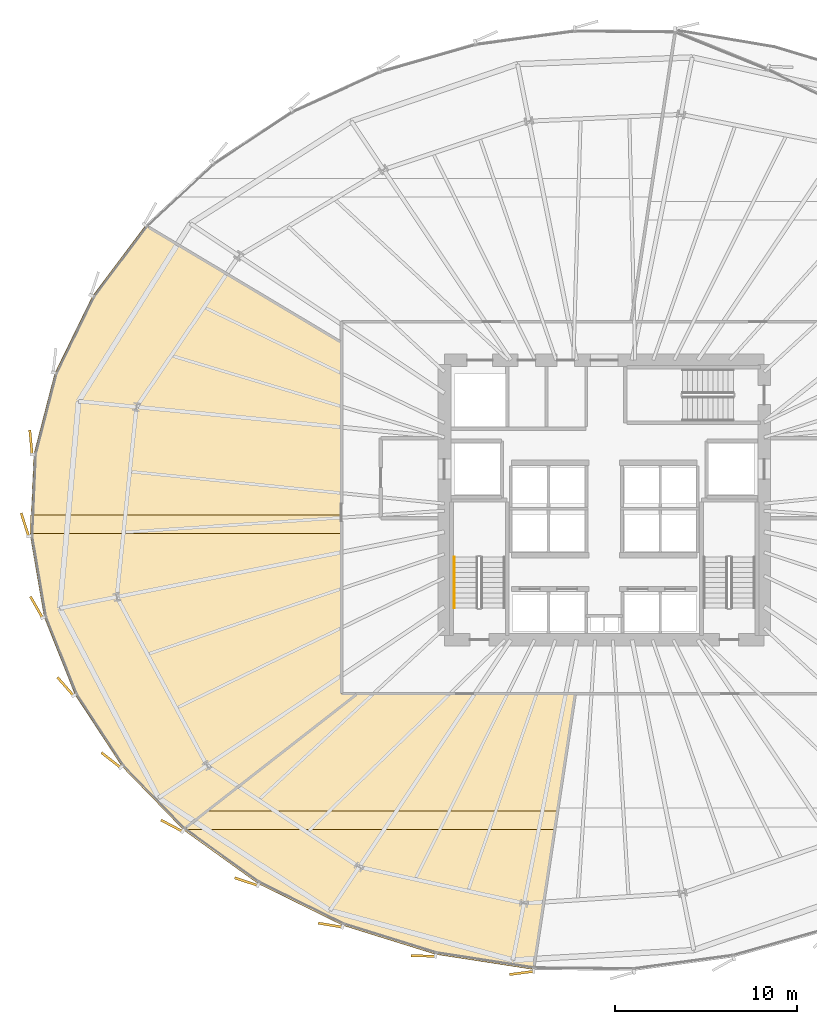
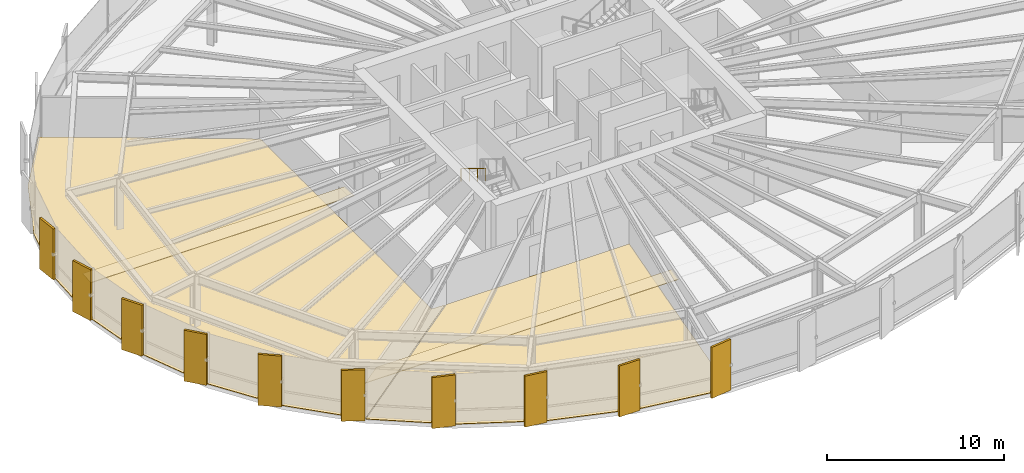
# One storey, part 35 of 39: 14 coverings, 1 railing.
"""IFC4 building model written with IfcOpenShell, lengths in metres."""

from ifc_helpers import new_model, si_unit, direction, frame, origin, origin_2d, place, context, subcontext, project, spatial, polyline, rectangle, circle, outline, extrude, source, transform, mapped, material, layer, layer_set, type_object, element, save


model = new_model("IFC4")

# Units and contexts
model_context = context("Model", 3, precision=1e-05, world=origin(), true_north=direction((0.0, 1.0)))
body_context = subcontext(model_context, "Body", "Model", "MODEL_VIEW")
ifc_project = project(units=[si_unit("LENGTHUNIT", "METRE"), si_unit("AREAUNIT", "SQUARE_METRE"), si_unit("VOLUMEUNIT", "CUBIC_METRE"), si_unit("PLANEANGLEUNIT", "RADIAN"), si_unit("MASSUNIT", "GRAM", prefix="KILO"), si_unit("THERMODYNAMICTEMPERATUREUNIT", "KELVIN")], contexts=[model_context])

# Site, building, storey
site_placement = place(None, origin())
site = spatial("IfcSite", under=ifc_project, at=site_placement, CompositionType="ELEMENT")
building_placement = place(site_placement, origin())
building = spatial("IfcBuilding", under=site, at=building_placement, Name="Kethvar Cultural Tower", CompositionType="ELEMENT")
storey_placement = place(building_placement, frame((0.0, 0.0, 44.800048828125)))
storey = spatial("IfcBuildingStorey", under=building, at=storey_placement, Name="L10", CompositionType="ELEMENT", Elevation=44.800048828125)

# Coverings
ifc_material_1 = material(Name="Acoustic Mineral Fibre Ceiling")
ifc_layer_1 = layer(ifc_material_1, 0.0400390625, Name="Acoustic Mineral Fibre Ceiling")
ifc_layer_set_1 = layer_set([ifc_layer_1], Name="Acoustic Mineral Fibre Ceiling (40 mm)")
covering_type_1 = type_object("IfcCoveringType", Name="CV-ACOUSTIC-CEIL", PredefinedType="CEILING", material=ifc_layer_set_1)
covering_1_placement = place(storey_placement, frame((0.0, 0.0, 2.449951171875)))
element("IfcCovering", 1, at=covering_1_placement, inside=storey, type_object=covering_type_1, Name="L10 Room 01 Acoustic Ceiling Panel", PredefinedType="CEILING", context=body_context, shape_type="SweptSolid", body=[
    extrude(outline(polyline([(24.96923828125, 10.693603515625), (44.251708984375, 10.693603515625), (44.09716796875, 9.66357421875), (23.65673828125, 9.66357421875), (24.96923828125, 10.693603515625)])), origin(), (0.0, 0.0, 1.0), 0.0400390625),
])
covering_2_placement = place(storey_placement, frame((0.0, 0.0, 2.449951171875)))
element("IfcCovering", 2, at=covering_2_placement, inside=storey, type_object=covering_type_1, Name="L10 Room 07 Acoustic Ceiling Panel", PredefinedType="CEILING", context=body_context, shape_type="SweptSolid", body=[
    extrude(outline(polyline([(15.22021484375, 26.98046875), (32.35009765625, 26.98046875), (32.35009765625, 25.950439453125), (15.17529296875, 25.950439453125), (15.22021484375, 26.98046875)])), origin(), (0.0, 0.0, 1.0), 0.0400390625),
])
ifc_material_2 = material(Name="Honed Warm Limestone", Category="masonry")
ifc_layer_2 = layer(ifc_material_2, 0.030029296875, Name="Honed Warm Limestone", Category="masonry")
ifc_layer_set_2 = layer_set([ifc_layer_2], Name="Honed Warm Limestone (30 mm)")
covering_type_2 = type_object("IfcCoveringType", Name="CV-STONE-FLOOR", PredefinedType="FLOORING", material=ifc_layer_set_2)
covering_3_placement = place(storey_placement, origin())
element("IfcCovering", 3, at=covering_3_placement, inside=storey, type_object=covering_type_2, Name="L10 Room 01 Floor Finish", PredefinedType="FLOORING", context=body_context, shape_type="SweptSolid", body=[
    extrude(outline(polyline([(37.52490234375, 2.788330078125), (32.4140625, 4.38232421875), (27.740234375, 6.687744140625), (23.666015625, 9.6201171875), (33.222900390625, 17.1201171875), (45.17626953125, 17.1201171875), (42.899658203125, 1.95751953125), (37.52490234375, 2.788330078125)])), origin(), (0.0, 0.0, 1.0), 0.030029296875),
])
covering_4_placement = place(storey_placement, origin())
element("IfcCovering", 4, at=covering_4_placement, inside=storey, type_object=covering_type_2, Name="L10 Room 07 Floor Finish", PredefinedType="FLOORING", context=body_context, shape_type="SweptSolid", body=[
    extrude(outline(polyline([(20.255126953125, 13.13330078125), (17.6708984375, 17.077392578125), (15.971923828125, 21.346923828125), (15.20947265625, 25.8125), (15.40625, 30.33837890625), (16.556884765625, 34.787109375), (18.626220703125, 39.02392578125), (21.5419921875, 42.906982421875), (32.31005859375, 36.456787109375), (32.31005859375, 17.139892578125), (33.158203125, 17.1201171875), (23.634521484375, 9.646484375), (20.255126953125, 13.13330078125)])), origin(), (0.0, 0.0, 1.0), 0.030029296875),
])

# Railing
ifc_material_3 = material(Name="Steel S355J2", Category="steel")
railing_type = type_object("IfcRailingType", Name="RL-STAIR-HANDRAIL", PredefinedType="HANDRAIL", material=ifc_material_3)
railing_placement = place(storey_placement, frame((38.5400390625, 24.64990234375, 2.07275390625)))
element("IfcRailing", 5, at=railing_placement, inside=storey, type_object=railing_type, Name="L10 ST-01 stair handrail 2", PredefinedType="HANDRAIL", context=body_context, shape_type="SweptSolid", body=[
    extrude(circle(Radius=0.02392578125, at=origin_2d()), frame((0.0, 0.0, 0.8759765625), z_axis=(0.0, -0.851069175582, 0.525053576669), x_axis=(1.0, 0.0, 0.0)), (0.0, 0.0, 1.0), 3.289794921875),
    extrude(circle(Radius=0.02099609375, at=origin_2d()), origin(), (0.0, 0.0, 1.0), 0.851806640625),
    extrude(circle(Radius=0.02099609375, at=origin_2d()), frame((0.0, -0.933349609375, 0.57568359375)), (0.0, 0.0, 1.0), 0.851806640625),
    extrude(circle(Radius=0.02099609375, at=origin_2d()), frame((0.0, -1.866455078125, 1.151611328125)), (0.0, 0.0, 1.0), 0.851806640625),
    extrude(circle(Radius=0.02099609375, at=origin_2d()), frame((0.0, -2.7998046875, 1.727294921875)), (0.0, 0.0, 1.0), 0.851806640625),
])

# Coverings
ifc_material_4 = material(Name="Extruded Architectural Terracotta", Category="masonry")
ifc_layer_3 = layer(ifc_material_4, 0.135009765625, Name="Extruded Architectural Terracotta", Category="masonry")
ifc_layer_set_3 = layer_set([ifc_layer_3], Name="Extruded Architectural Terracotta (135 mm)")
covering_type_3 = type_object("IfcCoveringType", Name="Terracotta Facade Fin FIN-01", PredefinedType="CLADDING", material=ifc_layer_set_3)
shared_shape = source(origin(), body_context, "Body", "SweptSolid", [
    extrude(rectangle(XDim=1.35009765625, YDim=0.135009765625, at=origin_2d()), origin(), (0.0, 0.0, 1.0), 3.510009765625),
])
for number, where, z_axis, x_axis, name in (
    (6, (15.239990234375, 30.974609375, 0.02001953125), (0.0, 0.0, 1.0), (-0.09601948047, 0.995379454967, 0.0), "L10 Vertical Terracotta Fin 4.1"),
    (7, (14.9052734375, 26.44091796875, 0.02001953125), (0.0, 0.0, 1.0), (-0.303866785501, 0.952714530523, 0.0), "L10 Vertical Terracotta Fin 4.2"),
    (8, (15.543701171875, 21.8984375, 0.02001953125), (0.0, 0.0, 1.0), (-0.495458668432, 0.868631514438, 0.0), "L10 Vertical Terracotta Fin 4.3"),
    (9, (17.141357421875, 17.531982421875, 0.02001953125), (0.0, 0.0, 1.0), (-0.659083333334, 0.752069916777, 0.0), "L10 Vertical Terracotta Fin 4.4"),
    (10, (19.6494140625, 13.479736328125, 0.02001953125), (0.0, 0.0, 1.0), (-0.789084084835, 0.614285200099, 0.0), "L10 Vertical Terracotta Fin 4.5"),
    (11, (22.988525390625, 9.868896484375, 0.02001953125), (0.0, 0.0, 1.0), (-0.885068889048, 0.465460053753, 0.0), "L10 Vertical Terracotta Fin 4.6"),
    (12, (27.09130859375, 6.79150390625, 0.02001953125), (0.0, 0.0, 1.0), (-0.949644454342, 0.31332955548, 0.0), "L10 Vertical Terracotta Fin 5.1"),
    (13, (31.716796875, 4.396728515625, 0.02001953125), (0.0, 0.0, 1.0), (-0.98679924591, 0.161948288881, 0.0), "L10 Vertical Terracotta Fin 5.2"),
    (14, (36.833251953125, 2.69921875, 0.02001953125), (0.0, 0.0, 1.0), (-0.99990494564, 0.013787664215, 0.0), "L10 Vertical Terracotta Fin 5.3"),
    (15, (42.24658203125, 1.7666015625, 0.02001953125), (0.0, 0.0, 1.0), (-0.991444861374, -0.13052619222, 0.0), "L10 Vertical Terracotta Fin 5.4"),
):
    element("IfcCovering", number, at=place(storey_placement, frame(where, z_axis=z_axis, x_axis=x_axis)), inside=storey, type_object=covering_type_3, Name=name, PredefinedType="CLADDING", context=body_context, shape_type="MappedRepresentation", body=[
        mapped(shared_shape, transform((0.0, 0.0, 0.0), scale=1.0)),
    ])

save(model, "model.ifc")
